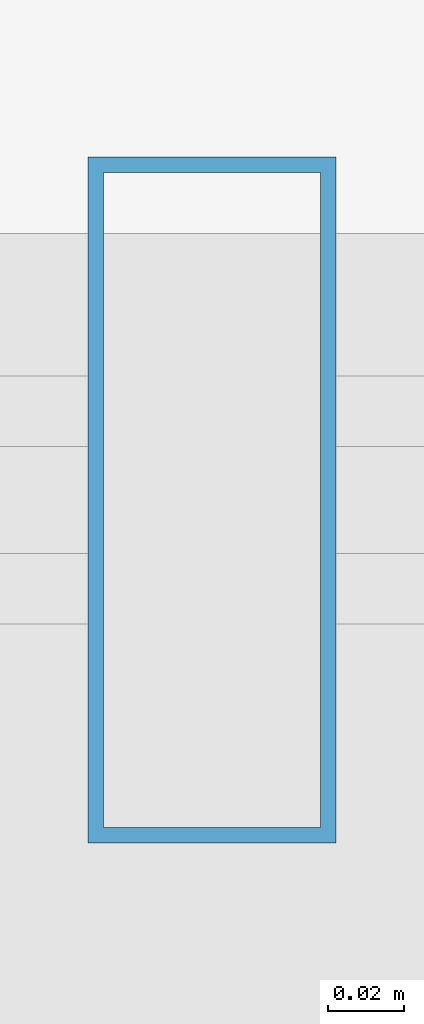
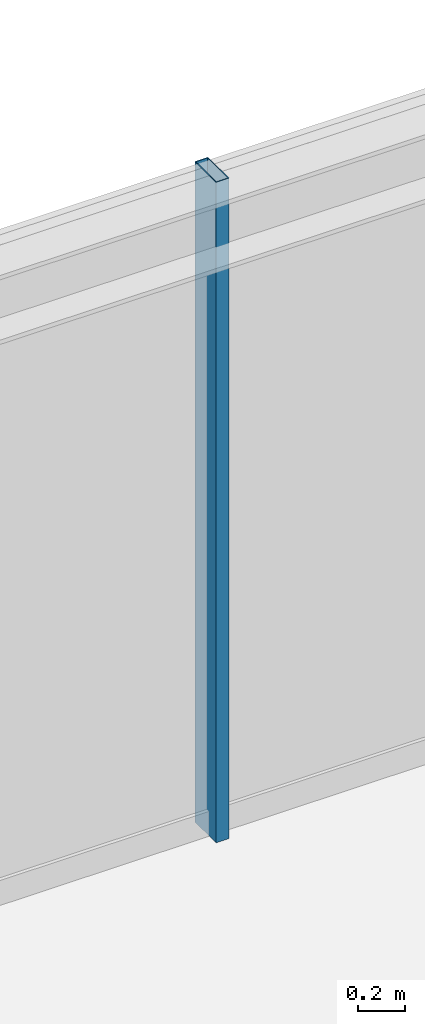
# One storey, part 21 of 32: 1 member, 1 element without a shape of its own.
"""IFC4 building model written with IfcOpenShell, lengths in metres."""

from ifc_helpers import new_model, si_unit, direction, frame, origin, origin_2d, place, context, subcontext, project, spatial, hollow_rectangle, extrude, source, transform, mapped, material, material_profile, profile_set, type_object, element, aggregate, save


model = new_model("IFC4")

# Units and contexts
model_context = context("Model", 3, precision=1e-05, world=origin(), true_north=direction((0.0, 1.0)))
body_context = subcontext(model_context, "Body", "Model", "MODEL_VIEW")
ifc_project = project(units=[si_unit("LENGTHUNIT", "METRE"), si_unit("AREAUNIT", "SQUARE_METRE"), si_unit("VOLUMEUNIT", "CUBIC_METRE"), si_unit("PLANEANGLEUNIT", "RADIAN"), si_unit("MASSUNIT", "GRAM", prefix="KILO")], contexts=[model_context])

# Site, building, storey
site_placement = place(None, origin())
site = spatial("IfcSite", under=ifc_project, at=site_placement, CompositionType="ELEMENT")
building_placement = place(site_placement, origin())
building = spatial("IfcBuilding", under=site, at=building_placement, Name="Nahalor Promenade Grand Hotel", CompositionType="ELEMENT")
storey_placement = place(building_placement, frame((0.0, 0.0, 285.050048828125)))
storey = spatial("IfcBuildingStorey", under=building, at=storey_placement, Name="L73", CompositionType="ELEMENT", Elevation=285.050048828125)

# Curtain wall, member
ifc_material = material(Name="Anodised Bronze Aluminium EN AW-6063 T6", Category="aluminium")
curtain_wall_type = type_object("IfcCurtainWallType", Name="CW2 Typical Hotel Flush Bronze Unitised Curtain Wall", PredefinedType="USERDEFINED", material=ifc_material)
curtain_wall_placement = place(storey_placement, origin())
curtain_wall = element("IfcCurtainWall", 1, at=curtain_wall_placement, inside=storey, type_object=curtain_wall_type, Name="L73 Curtain Wall CW-L73-N-1", ObjectType="UNITISED_CURTAIN_WALL", PredefinedType="USERDEFINED")
ifc_material_profile = material_profile(ifc_material, hollow_rectangle(XDim=0.065, YDim=0.18, WallThickness=0.004, at=origin_2d()), Name="CWM 65x180x4")
ifc_profile_set = profile_set([ifc_material_profile], Name="Anodised Bronze Aluminium EN AW-6063 T6")
member_type = type_object("IfcMemberType", Name="CWM2 Typical Bronze Mullion 65x180", PredefinedType="MULLION", material=ifc_profile_set)
shared_shape = source(origin(), body_context, "Body", "SweptSolid", [
    extrude(hollow_rectangle(XDim=0.065, YDim=0.18, WallThickness=0.004, at=origin_2d()), origin(), (0.0, 0.0, 1.0), 3.449951171875),
])
member_placement = place(storey_placement, frame((6.586669921875, 22.56005859375, 0.0), z_axis=(0.0, 0.0, 1.0), x_axis=(1.0, 0.0, 0.0)))
member = element("IfcMember", 2, at=member_placement, type_object=member_type, Name="CW-L73-N-1 Mullion 2", PredefinedType="MULLION", context=body_context, shape_type="MappedRepresentation", body=[
    mapped(shared_shape, transform((0.0, 0.0, 0.0), scale=1.0)),
])
aggregate(curtain_wall, [member])

save(model, "model.ifc")
